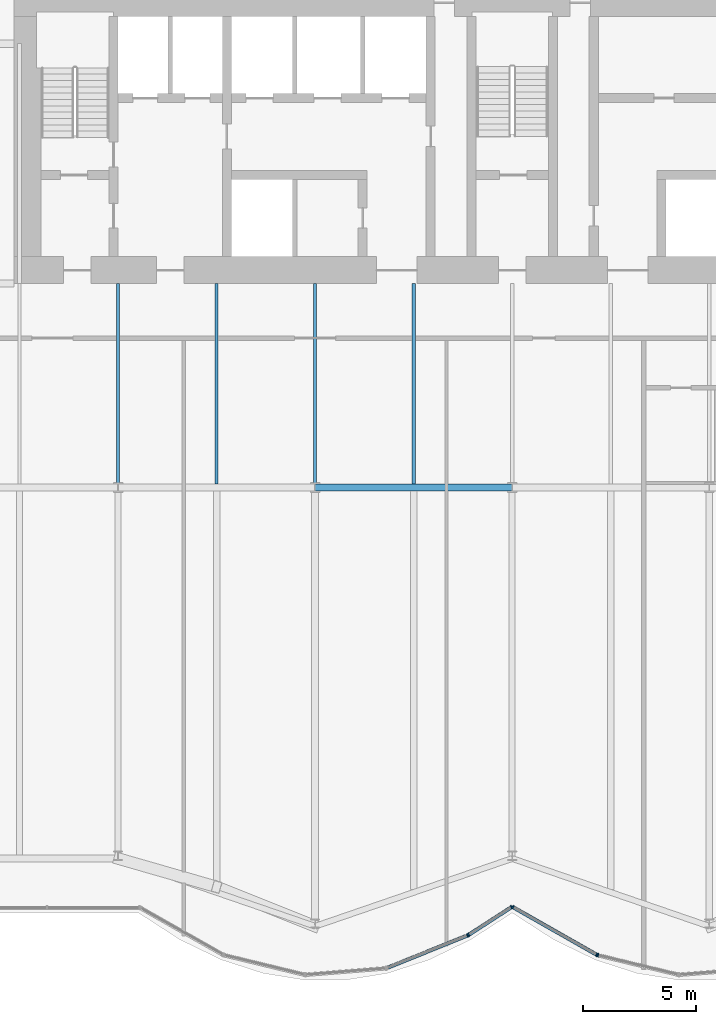
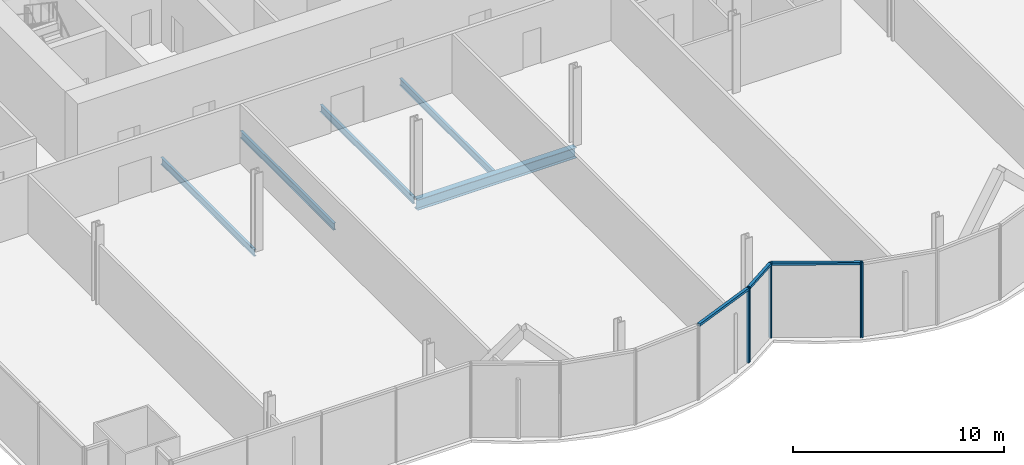
# One storey, part 7 of 21: 9 members, 5 beams, 2 elements without a shape of their own.
"""IFC4 building model written with IfcOpenShell, lengths in metres."""

from ifc_helpers import new_model, si_unit, direction, frame, origin, origin_2d, place, context, subcontext, project, spatial, rectangle, i_section, extrude, material, material_profile, profile_set, type_object, element, aggregate, save


model = new_model("IFC4")

# Units and contexts
model_context = context("Model", 3, precision=1e-05, world=origin(), true_north=direction((0.0, 1.0)))
body_context = subcontext(model_context, "Body", "Model", "MODEL_VIEW")
ifc_project = project(units=[si_unit("LENGTHUNIT", "METRE"), si_unit("AREAUNIT", "SQUARE_METRE"), si_unit("VOLUMEUNIT", "CUBIC_METRE"), si_unit("PLANEANGLEUNIT", "RADIAN"), si_unit("MASSUNIT", "GRAM", prefix="KILO")], contexts=[model_context])

# Site, building, storey
site_placement = place(None, origin())
site = spatial("IfcSite", under=ifc_project, at=site_placement, CompositionType="ELEMENT")
building_placement = place(site_placement, origin())
building = spatial("IfcBuilding", under=site, at=building_placement, Name="Bicima Exchange Tower", CompositionType="ELEMENT")
storey_placement = place(building_placement, frame((0.0, 0.0, 57.5)))
storey = spatial("IfcBuildingStorey", under=building, at=storey_placement, Name="L11", CompositionType="ELEMENT", Elevation=57.5)

# Beams
ifc_material_1 = material(Name="Steel ASTM A992 Gr 50", Category="steel")
ifc_material_profile_1 = material_profile(ifc_material_1, i_section(OverallWidth=0.140380859375, OverallDepth=0.40380859375, WebThickness=0.007080078125, FlangeThickness=0.01123046875, at=origin_2d()))
ifc_profile_set_1 = profile_set([ifc_material_profile_1], Name="Steel ASTM A992 Gr 50")
beam_type_1 = type_object("IfcBeamType", Name="Floor beam W16x31", PredefinedType="JOIST", material=ifc_profile_set_1)
for number, where, z_axis, x_axis, name in (
    (1, (-17.39990234375, -13.0, -0.351806640625), (0.0, -1.0, 0.0), (1.0, 0.0, 0.0), "Floor beam"),
    (2, (-13.050048828125, -13.0, -0.351806640625), (0.0, -1.0, 0.0), (1.0, 0.0, 0.0), "Floor beam"),
    (3, (-8.699951171875, -13.0, -0.351806640625), (0.0, -1.0, 0.0), (1.0, 0.0, 0.0), "Floor beam"),
    (4, (-4.35009765625, -13.0, -0.351806640625), (0.0, -1.0, 0.0), (1.0, 0.0, 0.0), "Floor beam"),
):
    element("IfcBeam", number, at=place(storey_placement, frame(where, z_axis=z_axis, x_axis=x_axis)), inside=storey, type_object=beam_type_1, Name=name, PredefinedType="JOIST", context=body_context, shape_type="SweptSolid", body=[
        extrude(i_section(OverallWidth=0.140380859375, OverallDepth=0.40380859375, WebThickness=0.007080078125, FlangeThickness=0.01123046875, at=origin_2d()), origin(), (0.0, 0.0, 1.0), 8.83740234375),
    ])

# Curtain wall, members
ifc_material_2 = material(Name="Anodised bronze aluminium", Category="aluminium")
curtain_wall_type = type_object("IfcCurtainWallType", Name="Front glass wall", PredefinedType="NOTDEFINED", material=ifc_material_2)
curtain_wall_1_placement = place(storey_placement, origin())
curtain_wall_1 = element("IfcCurtainWall", 5, at=curtain_wall_1_placement, inside=storey, type_object=curtain_wall_type, Name="Front glass wall L11 run 6", PredefinedType="NOTDEFINED")
ifc_material_profile_2 = material_profile(ifc_material_2, rectangle(XDim=0.159912109375, YDim=0.06005859375, at=origin_2d()))
ifc_profile_set_2 = profile_set([ifc_material_profile_2], Name="Anodised bronze aluminium")
member_type_1 = type_object("IfcMemberType", Name="Front glass wall mullion 60 x 160", PredefinedType="MULLION", material=ifc_profile_set_2)
member_1_placement = place(storey_placement, frame((-1.97412109375, -41.775634765625, 0.0), z_axis=(0.0, 0.0, 1.0), x_axis=(-0.374705304, 0.92714396679, 0.0)))
member_1 = element("IfcMember", 6, at=member_1_placement, type_object=member_type_1, Name="Front glass wall mullion 2", PredefinedType="MULLION", context=body_context, shape_type="SweptSolid", body=[
    extrude(rectangle(XDim=0.159912109375, YDim=0.06005859375, at=origin_2d()), origin(), (0.0, 0.0, 1.0), 4.35009765625),
])
member_2_placement = place(storey_placement, frame((-1.921142578125, -41.748046875, 0.0), z_axis=(0.0, 0.0, 1.0), x_axis=(-0.542897457326, 0.839798994301, 0.0)))
member_2 = element("IfcMember", 7, at=member_2_placement, type_object=member_type_1, Name="Front glass wall mullion 1", PredefinedType="MULLION", context=body_context, shape_type="SweptSolid", body=[
    extrude(rectangle(XDim=0.159912109375, YDim=0.06005859375, at=origin_2d()), origin(), (0.0, 0.0, 1.0), 4.35009765625),
])
member_3_placement = place(storey_placement, frame((-0.025146484375, -40.5224609375, 0.0), z_axis=(0.0, 0.0, 1.0), x_axis=(-0.542897457326, 0.839798994301, 0.0)))
member_3 = element("IfcMember", 8, at=member_3_placement, type_object=member_type_1, Name="Front glass wall mullion 2", PredefinedType="MULLION", context=body_context, shape_type="SweptSolid", body=[
    extrude(rectangle(XDim=0.159912109375, YDim=0.06005859375, at=origin_2d()), origin(), (0.0, 0.0, 1.0), 4.35009765625),
])

curtain_wall_2_placement = place(storey_placement, origin())
curtain_wall_2 = element("IfcCurtainWall", 9, at=curtain_wall_2_placement, inside=storey, type_object=curtain_wall_type, Name="Front glass wall L11 run 11", PredefinedType="NOTDEFINED")
member_4_placement = place(storey_placement, frame((0.026123046875, -40.52099609375, 0.0), z_axis=(0.0, 0.0, 1.0), x_axis=(0.494330311331, 0.869274147378, 0.0)))
member_4 = element("IfcMember", 10, at=member_4_placement, type_object=member_type_1, Name="Front glass wall mullion 1", PredefinedType="MULLION", context=body_context, shape_type="SweptSolid", body=[
    extrude(rectangle(XDim=0.159912109375, YDim=0.06005859375, at=origin_2d()), origin(), (0.0, 0.0, 1.0), 4.35009765625),
])
member_5_placement = place(storey_placement, frame((3.7265625, -42.62548828125, 0.0), z_axis=(0.0, 0.0, 1.0), x_axis=(0.494330311331, 0.869274147378, 0.0)))
member_5 = element("IfcMember", 11, at=member_5_placement, type_object=member_type_1, Name="Front glass wall mullion 2", PredefinedType="MULLION", context=body_context, shape_type="SweptSolid", body=[
    extrude(rectangle(XDim=0.159912109375, YDim=0.06005859375, at=origin_2d()), origin(), (0.0, 0.0, 1.0), 4.35009765625),
])
member_6_placement = place(storey_placement, frame((3.781982421875, -42.647216796875, 0.0), z_axis=(0.0, 0.0, 1.0), x_axis=(0.235681529503, 0.971830343553, 0.0)))
member_6 = element("IfcMember", 12, at=member_6_placement, type_object=member_type_1, Name="Front glass wall mullion 1", PredefinedType="MULLION", context=body_context, shape_type="SweptSolid", body=[
    extrude(rectangle(XDim=0.159912109375, YDim=0.06005859375, at=origin_2d()), origin(), (0.0, 0.0, 1.0), 4.35009765625),
])

# Member
ifc_material_profile_3 = material_profile(ifc_material_2, rectangle(XDim=0.159912109375, YDim=0.139892578125, at=origin_2d()))
ifc_profile_set_3 = profile_set([ifc_material_profile_3], Name="Anodised bronze aluminium")
member_type_2 = type_object("IfcMemberType", Name="Front glass wall transom 140 x 160", PredefinedType="USERDEFINED", material=ifc_profile_set_3)
member_7_placement = place(storey_placement, frame((-5.498291015625, -43.199951171875, 4.280029296875), z_axis=(0.927140215882, 0.374714584842, 0.0), x_axis=(-0.374714584842, 0.927140215882, 0.0)))
member_7 = element("IfcMember", 13, at=member_7_placement, type_object=member_type_2, Name="Front glass wall transom 1.1", ObjectType="TRANSOM", PredefinedType="USERDEFINED", context=body_context, shape_type="SweptSolid", body=[
    extrude(rectangle(XDim=0.159912109375, YDim=0.139892578125, at=origin_2d()), origin(), (0.0, 0.0, 1.0), 3.77099609375),
])

member_8_placement = place(storey_placement, frame((-1.89599609375, -41.731689453125, 4.280029296875), z_axis=(0.839862128766, 0.542799783221, 0.0), x_axis=(-0.542799783221, 0.839862128766, 0.0)))
member_8 = element("IfcMember", 14, at=member_8_placement, type_object=member_type_2, Name="Front glass wall transom 1.1", ObjectType="TRANSOM", PredefinedType="USERDEFINED", context=body_context, shape_type="SweptSolid", body=[
    extrude(rectangle(XDim=0.159912109375, YDim=0.139892578125, at=origin_2d()), origin(), (0.0, 0.0, 1.0), 2.197509765625),
])

aggregate(curtain_wall_1, [member_1, member_7, member_2, member_3, member_8])

member_9_placement = place(storey_placement, frame((0.05224609375, -40.535888671875, 4.280029296875), z_axis=(0.869265121745, -0.494346182466, 0.0), x_axis=(0.494346182466, 0.869265121745, 0.0)))
member_9 = element("IfcMember", 15, at=member_9_placement, type_object=member_type_2, Name="Front glass wall transom 1.1", ObjectType="TRANSOM", PredefinedType="USERDEFINED", context=body_context, shape_type="SweptSolid", body=[
    extrude(rectangle(XDim=0.159912109375, YDim=0.139892578125, at=origin_2d()), origin(), (0.0, 0.0, 1.0), 4.19677734375),
])

aggregate(curtain_wall_2, [member_4, member_5, member_9, member_6])

# Beam
ifc_material_profile_4 = material_profile(ifc_material_1, i_section(OverallWidth=0.3251953125, OverallDepth=0.612060546875, WebThickness=0.0126953125, FlangeThickness=0.01904296875, at=origin_2d()))
ifc_profile_set_4 = profile_set([ifc_material_profile_4], Name="Steel ASTM A992 Gr 50")
beam_type_2 = type_object("IfcBeamType", Name="Row girder W24x104", PredefinedType="BEAM", material=ifc_profile_set_4)
beam_placement = place(storey_placement, frame((-8.699951171875, -22.0, -0.4560546875), z_axis=(1.0, 0.0, 0.0), x_axis=(0.0, 1.0, 0.0)))
element("IfcBeam", 16, at=beam_placement, inside=storey, type_object=beam_type_2, Name="Row girder", PredefinedType="BEAM", context=body_context, shape_type="SweptSolid", body=[
    extrude(i_section(OverallWidth=0.3251953125, OverallDepth=0.612060546875, WebThickness=0.0126953125, FlangeThickness=0.01904296875, at=origin_2d()), origin(), (0.0, 0.0, 1.0), 8.699951171875),
])

save(model, "model.ifc")
